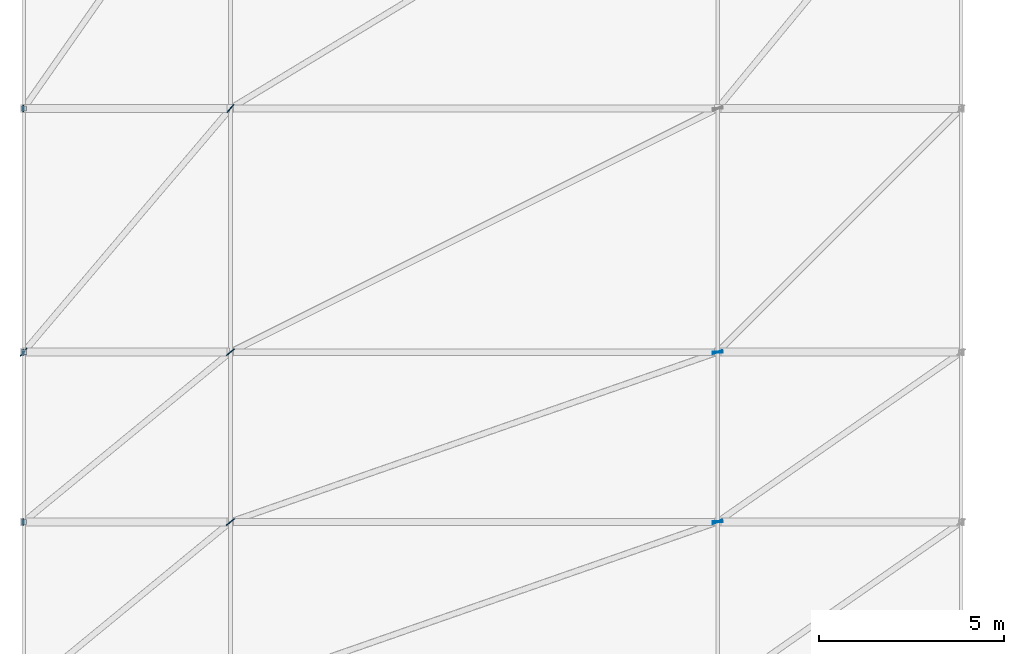
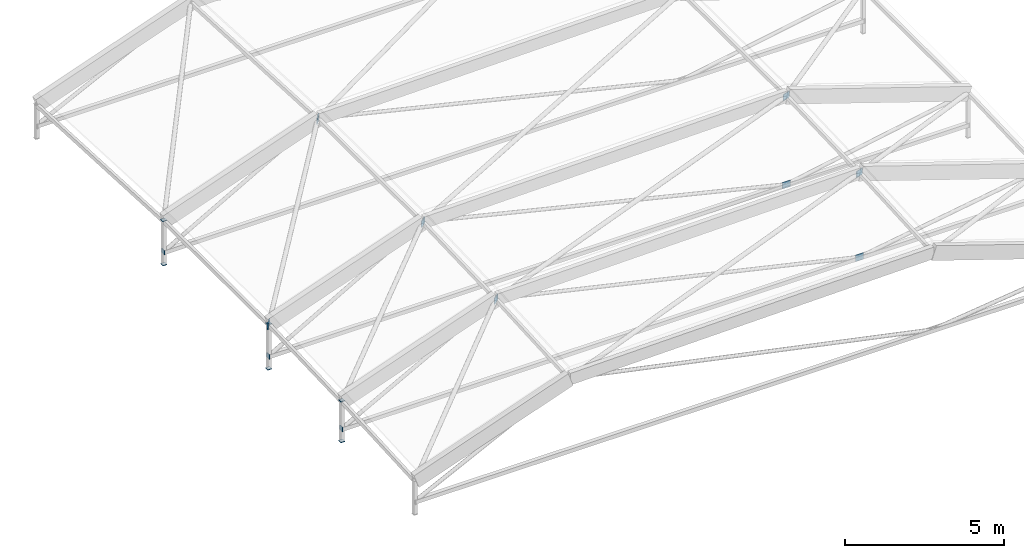
# One storey, part 104 of 134: 17 plates.
"""IFC4 building model written with IfcOpenShell, lengths in metres."""

from ifc_helpers import new_model, si_unit, direction, frame, origin, origin_2d, place, context, subcontext, project, spatial, rectangle, extrude, material, layer, layer_set, type_object, element, save


model = new_model("IFC4")

# Units and contexts
model_context = context("Model", 3, precision=1e-05, world=origin(), true_north=direction((0.0, 1.0)))
body_context = subcontext(model_context, "Body", "Model", "MODEL_VIEW")
ifc_project = project(units=[si_unit("LENGTHUNIT", "METRE"), si_unit("AREAUNIT", "SQUARE_METRE"), si_unit("VOLUMEUNIT", "CUBIC_METRE"), si_unit("PLANEANGLEUNIT", "RADIAN"), si_unit("MASSUNIT", "GRAM", prefix="KILO")], contexts=[model_context])

# Site, building, storey
site_placement = place(None, origin())
site = spatial("IfcSite", under=ifc_project, at=site_placement, CompositionType="ELEMENT")
building_placement = place(site_placement, origin())
building = spatial("IfcBuilding", under=site, at=building_placement, Name="Karori Crest Natural Sciences Institute", CompositionType="ELEMENT")
storey_placement = place(building_placement, frame((0.0, 0.0, 21.699951171875)))
storey = spatial("IfcBuildingStorey", under=building, at=storey_placement, Name="L05", CompositionType="ELEMENT", Elevation=21.699951171875)

# Plates
ifc_material = material(Name="Structural steel AS/NZS 3679.1 Grade 350", Category="steel")
ifc_layer_1 = layer(ifc_material, 0.02490234375, Name="Structural steel AS/NZS 3679.1 Grade 350")
ifc_layer_set_1 = layer_set([ifc_layer_1], Name="Structural steel AS/NZS 3679.1 Grade 350")
plate_type_1 = type_object("IfcPlateType", Name="PLT-06", PredefinedType="SHEET", material=ifc_layer_set_1)
plate_1_placement = place(storey_placement, frame((1.78759765625, 35.800048828125, 0.03515625), z_axis=(0.0, 0.0, 1.0), x_axis=(1.0, 0.0, 0.0)))
element("IfcPlate", 1, at=plate_1_placement, inside=storey, type_object=plate_type_1, Name="Hollow section end cap EP-0326", PredefinedType="SHEET", context=body_context, shape_type="SweptSolid", body=[
    extrude(rectangle(XDim=0.02490234375, YDim=0.169921875, at=origin_2d()), origin(), (0.0, 0.0, 1.0), 0.169921875),
])
plate_2_placement = place(storey_placement, frame((20.60009765625, 35.800048828125, 0.0), z_axis=(0.0, 0.0, 1.0), x_axis=(1.0, 0.0, 0.0)))
element("IfcPlate", 2, at=plate_2_placement, inside=storey, type_object=plate_type_1, Name="Brace gusset plate EP-0329", PredefinedType="SHEET", context=body_context, shape_type="SweptSolid", body=[
    extrude(rectangle(XDim=0.280029296875, YDim=0.02490234375, at=origin_2d()), origin(), (0.0, 0.0, 1.0), 0.239990234375),
])
plate_3_placement = place(storey_placement, frame((1.78759765625, 40.39990234375, 0.03515625), z_axis=(0.0, 0.0, 1.0), x_axis=(1.0, 0.0, 0.0)))
element("IfcPlate", 3, at=plate_3_placement, inside=storey, type_object=plate_type_1, Name="Hollow section end cap EP-0336", PredefinedType="SHEET", context=body_context, shape_type="SweptSolid", body=[
    extrude(rectangle(XDim=0.02490234375, YDim=0.169921875, at=origin_2d()), origin(), (0.0, 0.0, 1.0), 0.169921875),
])
plate_4_placement = place(storey_placement, frame((20.60009765625, 40.39990234375, 0.0), z_axis=(0.0, 0.0, 1.0), x_axis=(1.0, 0.0, 0.0)))
element("IfcPlate", 4, at=plate_4_placement, inside=storey, type_object=plate_type_1, Name="Brace gusset plate EP-0340", PredefinedType="SHEET", context=body_context, shape_type="SweptSolid", body=[
    extrude(rectangle(XDim=0.280029296875, YDim=0.02490234375, at=origin_2d()), origin(), (0.0, 0.0, 1.0), 0.239990234375),
])
plate_5_placement = place(storey_placement, frame((1.78759765625, 47.0, 0.03515625), z_axis=(0.0, 0.0, 1.0), x_axis=(1.0, 0.0, 0.0)))
element("IfcPlate", 5, at=plate_5_placement, inside=storey, type_object=plate_type_1, Name="Hollow section end cap EP-0346", PredefinedType="SHEET", context=body_context, shape_type="SweptSolid", body=[
    extrude(rectangle(XDim=0.02490234375, YDim=0.169921875, at=origin_2d()), origin(), (0.0, 0.0, 1.0), 0.169921875),
])
ifc_layer_2 = layer(ifc_material, 0.02490234375, Name="Structural steel AS/NZS 3679.1 Grade 350")
ifc_layer_set_2 = layer_set([ifc_layer_2], Name="Structural steel AS/NZS 3679.1 Grade 350")
plate_type_2 = type_object("IfcPlateType", Name="PLT-06-EL", PredefinedType="SHEET", material=ifc_layer_set_2)
for number, where, z_axis, x_axis, name in (
    (6, (7.39990234375, 35.800048828125, 3.005859375), (0.0, 0.0, 1.0), (0.772725818744, 0.634739953876, 0.0), "Brace gusset plate EP-0318"),
    (7, (20.60009765625, 35.800048828125, 3.2392578125), (0.0, 0.0, 1.0), (0.944303451505, 0.329075966116, 0.0), "Brace gusset plate EP-0320"),
):
    element("IfcPlate", number, at=place(storey_placement, frame(where, z_axis=z_axis, x_axis=x_axis)), inside=storey, type_object=plate_type_2, Name=name, PredefinedType="SHEET", context=body_context, shape_type="SweptSolid", body=[
        extrude(rectangle(XDim=0.280029296875, YDim=0.02490234375, at=origin_2d()), origin(), (0.0, 0.0, 1.0), 0.239990234375),
    ])
for number, where, z_axis, x_axis, name in (
    (8, (1.800048828125, 35.800048828125, -0.375), (0.0, 0.0, 1.0), (1.0, 0.0, 0.0), "Hollow section end cap EP-0323"),
    (9, (1.800048828125, 35.800048828125, 1.18701171875), (0.0, 0.0, 1.0), (1.0, 0.0, 0.0), "Hollow section end cap EP-0324"),
):
    element("IfcPlate", number, at=place(storey_placement, frame(where, z_axis=z_axis, x_axis=x_axis)), inside=storey, type_object=plate_type_2, Name=name, PredefinedType="SHEET", context=body_context, shape_type="SweptSolid", body=[
        extrude(rectangle(XDim=0.14501953125, YDim=0.14501953125, at=origin_2d()), origin(), (0.0, 0.0, 1.0), 0.02490234375),
    ])
for number, where, z_axis, x_axis, name in (
    (10, (7.39990234375, 40.39990234375, 3.1708984375), (0.0, 0.0, 1.0), (0.772725818744, 0.634739953876, 0.0), "Brace gusset plate EP-0328"),
    (11, (20.60009765625, 40.39990234375, 3.404296875), (0.0, 0.0, 1.0), (0.944303451505, 0.329075966116, 0.0), "Brace gusset plate EP-0330"),
):
    element("IfcPlate", number, at=place(storey_placement, frame(where, z_axis=z_axis, x_axis=x_axis)), inside=storey, type_object=plate_type_2, Name=name, PredefinedType="SHEET", context=body_context, shape_type="SweptSolid", body=[
        extrude(rectangle(XDim=0.280029296875, YDim=0.02490234375, at=origin_2d()), origin(), (0.0, 0.0, 1.0), 0.239990234375),
    ])
for number, where, z_axis, x_axis, name in (
    (12, (1.800048828125, 40.39990234375, -0.375), (0.0, 0.0, 1.0), (1.0, 0.0, 0.0), "Hollow section end cap EP-0332"),
    (13, (1.800048828125, 40.39990234375, 1.351806640625), (0.0, 0.0, 1.0), (1.0, 0.0, 0.0), "Hollow section end cap EP-0333"),
):
    element("IfcPlate", number, at=place(storey_placement, frame(where, z_axis=z_axis, x_axis=x_axis)), inside=storey, type_object=plate_type_2, Name=name, PredefinedType="SHEET", context=body_context, shape_type="SweptSolid", body=[
        extrude(rectangle(XDim=0.14501953125, YDim=0.14501953125, at=origin_2d()), origin(), (0.0, 0.0, 1.0), 0.02490234375),
    ])
for number, where, z_axis, x_axis, name in (
    (14, (1.800048828125, 40.39990234375, 1.2119140625), (0.0, 0.0, 1.0), (0.646977446059, 0.762509137185, 0.0), "Brace gusset plate EP-0338"),
    (15, (7.39990234375, 47.0, 3.14111328125), (0.0, 0.0, 1.0), (0.646977446059, 0.762509137185, 0.0), "Brace gusset plate EP-0339"),
):
    element("IfcPlate", number, at=place(storey_placement, frame(where, z_axis=z_axis, x_axis=x_axis)), inside=storey, type_object=plate_type_2, Name=name, PredefinedType="SHEET", context=body_context, shape_type="SweptSolid", body=[
        extrude(rectangle(XDim=0.280029296875, YDim=0.02490234375, at=origin_2d()), origin(), (0.0, 0.0, 1.0), 0.239990234375),
    ])
for number, where, z_axis, x_axis, name in (
    (16, (1.800048828125, 47.0, -0.375), (0.0, 0.0, 1.0), (1.0, 0.0, 0.0), "Hollow section end cap EP-0343"),
    (17, (1.800048828125, 47.0, 1.32177734375), (0.0, 0.0, 1.0), (1.0, 0.0, 0.0), "Hollow section end cap EP-0344"),
):
    element("IfcPlate", number, at=place(storey_placement, frame(where, z_axis=z_axis, x_axis=x_axis)), inside=storey, type_object=plate_type_2, Name=name, PredefinedType="SHEET", context=body_context, shape_type="SweptSolid", body=[
        extrude(rectangle(XDim=0.14501953125, YDim=0.14501953125, at=origin_2d()), origin(), (0.0, 0.0, 1.0), 0.02490234375),
    ])

save(model, "model.ifc")
